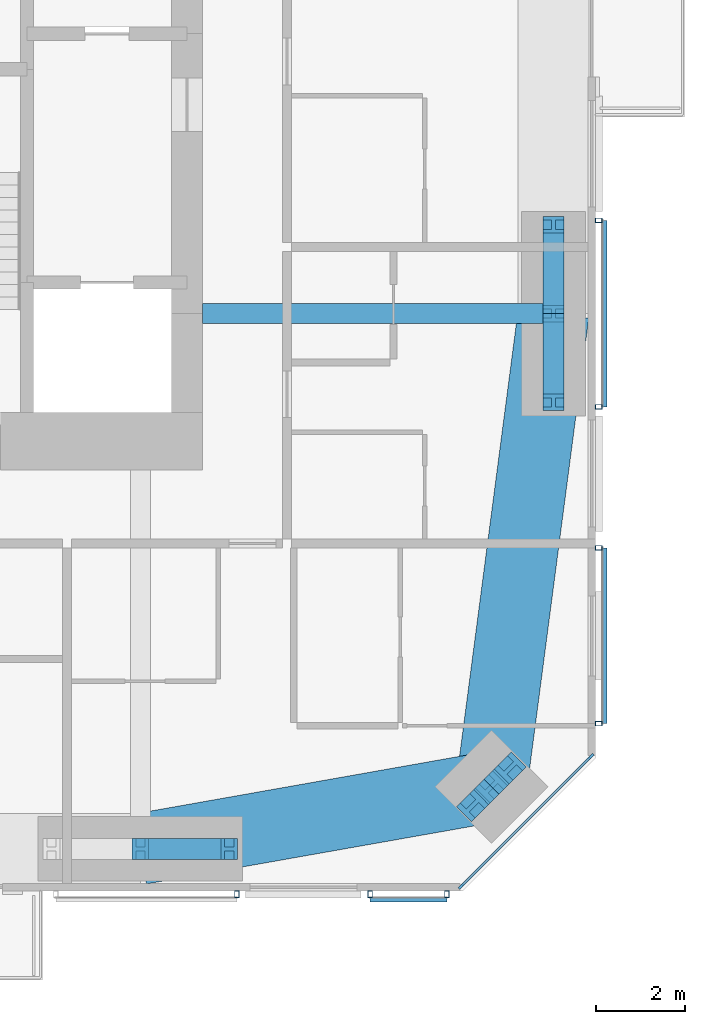
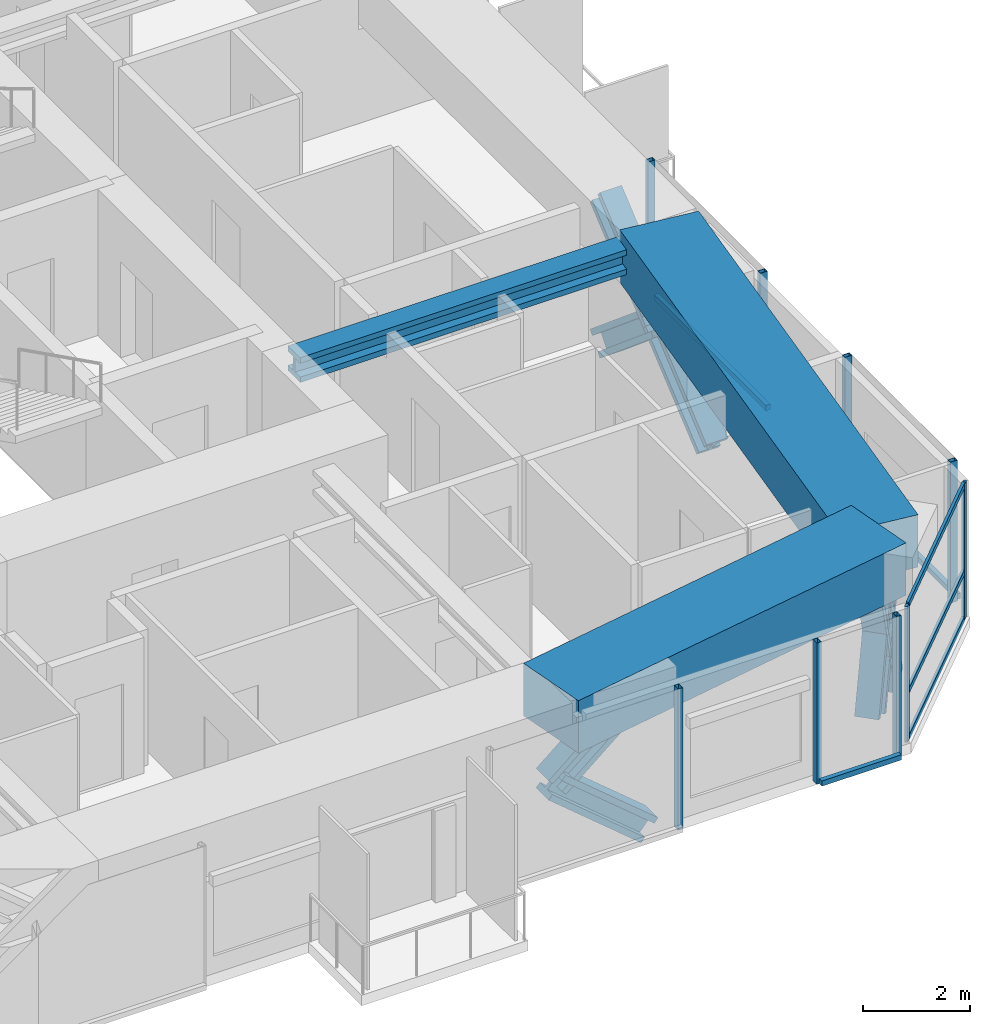
# One storey, part 7 of 22: 25 members, 3 beams, 5 elements without a shape of their own.
"""IFC4 building model written with IfcOpenShell, lengths in metres."""

from ifc_helpers import new_model, si_unit, direction, frame, origin, origin_2d, place, context, subcontext, project, spatial, rectangle, hollow_rectangle, i_section, extrude, material, material_profile, profile_set, type_object, element, aggregate, save


model = new_model("IFC4")

# Units and contexts
model_context = context("Model", 3, precision=1e-05, world=origin(), true_north=direction((0.0, 1.0)))
body_context = subcontext(model_context, "Body", "Model", "MODEL_VIEW")
ifc_project = project(units=[si_unit("LENGTHUNIT", "METRE"), si_unit("AREAUNIT", "SQUARE_METRE"), si_unit("VOLUMEUNIT", "CUBIC_METRE"), si_unit("PLANEANGLEUNIT", "RADIAN"), si_unit("MASSUNIT", "GRAM", prefix="KILO")], contexts=[model_context])

# Site, building, storey
site_placement = place(None, origin())
site = spatial("IfcSite", under=ifc_project, at=site_placement, CompositionType="ELEMENT")
building_placement = place(site_placement, origin())
building = spatial("IfcBuilding", under=site, at=building_placement, Name="Jalousie Tower", CompositionType="ELEMENT")
storey_placement = place(building_placement, frame((0.0, 0.0, 161.050048828125)))
storey = spatial("IfcBuildingStorey", under=building, at=storey_placement, Name="L43", CompositionType="ELEMENT", Elevation=161.050048828125)

# Curtain wall, members
ifc_material_1 = material(Name="Aluminium curtain wall", Category="aluminium")
curtain_wall_type_1 = type_object("IfcCurtainWallType", Name="CORNER WINDOW WALL", PredefinedType="USERDEFINED", material=ifc_material_1)
curtain_wall_1_placement = place(storey_placement, origin())
curtain_wall_1 = element("IfcCurtainWall", 1, at=curtain_wall_1_placement, inside=storey, type_object=curtain_wall_type_1, Name="Corner Window Wall L43 2", ObjectType="CORNER WINDOW WALL", PredefinedType="USERDEFINED")
ifc_material_2 = material(Name="Aluminium mullion", Category="aluminium")
ifc_material_profile_1 = material_profile(ifc_material_2, rectangle(XDim=0.06005859375, YDim=0.14990234375, at=origin_2d()), Name="MULLION 60x150")
ifc_profile_set_1 = profile_set([ifc_material_profile_1], Name="Aluminium mullion")
member_type_1 = type_object("IfcMemberType", Name="CORNER WINDOW WALL MULLION", PredefinedType="MULLION", material=ifc_profile_set_1)
member_1_placement = place(storey_placement, frame((49.969970703125, 0.108642578125, 0.0), z_axis=(0.0, 0.0, 1.0), x_axis=(-0.707106781187, 0.707106781187, 0.0)))
member_1 = element("IfcMember", 2, at=member_1_placement, type_object=member_type_1, Name="CW-C mullion 1", PredefinedType="MULLION", context=body_context, shape_type="SweptSolid", body=[
    extrude(rectangle(XDim=0.06005859375, YDim=0.14990234375, at=origin_2d()), origin(), (0.0, 0.0, 1.0), 3.10986328125),
])
member_2_placement = place(storey_placement, frame((52.891357421875, 3.030029296875, 0.0), z_axis=(0.0, 0.0, 1.0), x_axis=(-0.707106781187, 0.707106781187, 0.0)))
member_2 = element("IfcMember", 3, at=member_2_placement, type_object=member_type_1, Name="CW-C mullion 2", PredefinedType="MULLION", context=body_context, shape_type="SweptSolid", body=[
    extrude(rectangle(XDim=0.06005859375, YDim=0.14990234375, at=origin_2d()), origin(), (0.0, 0.0, 1.0), 3.10986328125),
])
ifc_material_3 = material(Name="Aluminium transom", Category="aluminium")
ifc_material_profile_2 = material_profile(ifc_material_3, rectangle(XDim=0.06005859375, YDim=0.1201171875, at=origin_2d()), Name="TRANSOM 60x120")
ifc_profile_set_2 = profile_set([ifc_material_profile_2], Name="Aluminium transom")
member_type_2 = type_object("IfcMemberType", Name="CORNER WINDOW WALL TRANSOM", PredefinedType="USERDEFINED", material=ifc_profile_set_2)
member_3_placement = place(storey_placement, frame((49.9912109375, 0.1298828125, 0.030029296875), z_axis=(0.707106781187, 0.707106781187, 0.0), x_axis=(-0.707106781187, 0.707106781187, 0.0)))
member_3 = element("IfcMember", 4, at=member_3_placement, type_object=member_type_2, Name="CW-C transom 1.1", ObjectType="TRANSOM", PredefinedType="USERDEFINED", context=body_context, shape_type="SweptSolid", body=[
    extrude(rectangle(XDim=0.06005859375, YDim=0.1201171875, at=origin_2d()), origin(), (0.0, 0.0, 1.0), 4.0712890625),
])
member_4_placement = place(storey_placement, frame((49.9912109375, 0.1298828125, 1.099853515625), z_axis=(0.707106781187, 0.707106781187, 0.0), x_axis=(-0.707106781187, 0.707106781187, 0.0)))
member_4 = element("IfcMember", 5, at=member_4_placement, type_object=member_type_2, Name="CW-C transom 1.2", ObjectType="TRANSOM", PredefinedType="USERDEFINED", context=body_context, shape_type="SweptSolid", body=[
    extrude(rectangle(XDim=0.06005859375, YDim=0.1201171875, at=origin_2d()), origin(), (0.0, 0.0, 1.0), 4.0712890625),
])
member_5_placement = place(storey_placement, frame((49.9912109375, 0.1298828125, 3.079833984375), z_axis=(0.707106781187, 0.707106781187, 0.0), x_axis=(-0.707106781187, 0.707106781187, 0.0)))
member_5 = element("IfcMember", 6, at=member_5_placement, type_object=member_type_2, Name="CW-C transom 1.3", ObjectType="TRANSOM", PredefinedType="USERDEFINED", context=body_context, shape_type="SweptSolid", body=[
    extrude(rectangle(XDim=0.06005859375, YDim=0.1201171875, at=origin_2d()), origin(), (0.0, 0.0, 1.0), 4.0712890625),
])
aggregate(curtain_wall_1, [member_1, member_2, member_3, member_4, member_5])

# Beam
ifc_material_4 = material(Name="Steel ASTM A992 Grade 50", Category="steel")
ifc_material_profile_3 = material_profile(ifc_material_4, i_section(OverallWidth=0.45458984375, OverallDepth=0.569091796875, WebThickness=0.077880859375, FlangeThickness=0.124755859375, at=origin_2d()), Name="W14X730")
ifc_profile_set_3 = profile_set([ifc_material_profile_3], Name="Steel ASTM A992 Grade 50")
beam_type_1 = type_object("IfcBeamType", Name="LEAN COLLECTOR W14X730", PredefinedType="BEAM", material=ifc_profile_set_3)
beam_1_placement = place(storey_placement, frame((52.050048828125, 13.0, 2.825439453125), z_axis=(-1.0, 0.0, 0.0), x_axis=(0.0, -1.0, 0.0)))
element("IfcBeam", 7, at=beam_1_placement, inside=storey, type_object=beam_type_1, Name="Lean collector under L44", PredefinedType="BEAM", context=body_context, shape_type="SweptSolid", body=[
    extrude(i_section(OverallWidth=0.45458984375, OverallDepth=0.569091796875, WebThickness=0.077880859375, FlangeThickness=0.124755859375, at=origin_2d()), origin(), (0.0, 0.0, 1.0), 7.900146484375),
])

# Members
ifc_material_5 = material(Name="Steel ASTM A992 Grade 50", Category="steel")
ifc_material_profile_4 = material_profile(ifc_material_5, i_section(OverallWidth=0.472412109375, OverallDepth=0.5791015625, WebThickness=0.094970703125, FlangeThickness=0.1298828125, at=origin_2d()), Name="W14X808")
ifc_profile_set_4 = profile_set([ifc_material_profile_4], Name="Steel ASTM A992 Grade 50")
member_type_3 = type_object("IfcMemberType", Name="PERIMETER BRACE W14X808", PredefinedType="BRACE", material=ifc_profile_set_4)
for number, where, z_axis, x_axis, name in (
    (8, (42.75, 0.949951171875, 1.074951171875), (0.766638753323, 0.0, 0.642078672674), (0.0, 1.0, 0.0), "Perimeter brace 04 L43 part 2"),
    (9, (44.75, 0.949951171875, -0.60009765625), (-0.766638753323, 0.0, 0.642078672674), (0.0, -1.0, 0.0), "Perimeter brace 04 L43 part 3"),
):
    element("IfcMember", number, at=place(storey_placement, frame(where, z_axis=z_axis, x_axis=x_axis)), inside=storey, type_object=member_type_3, Name=name, PredefinedType="BRACE", context=body_context, shape_type="SweptSolid", body=[
        extrude(i_section(OverallWidth=0.472412109375, OverallDepth=0.5791015625, WebThickness=0.094970703125, FlangeThickness=0.1298828125, at=origin_2d()), origin(), (0.0, 0.0, 1.0), 2.60888671875),
    ])
for number, where, z_axis, x_axis, name in (
    (10, (50.227294921875, 1.92431640625, -0.60009765625), (0.238482757655, 0.238345540878, 0.941444303953), (-0.706903267951, 0.707310235866, 0.0), "Perimeter brace 05 L43 part 1"),
    (11, (50.651611328125, 2.348388671875, 1.074951171875), (0.238345540878, 0.238482757655, 0.941444303953), (-0.707310235866, 0.706903267951, 0.0), "Perimeter brace 05 L43 part 2"),
    (12, (51.07568359375, 2.772705078125, -0.60009765625), (-0.238345540878, -0.238482757655, 0.941444303953), (0.707310235866, -0.706903267951, 0.0), "Perimeter brace 05 L43 part 3"),
    (13, (50.651611328125, 2.348388671875, 1.074951171875), (-0.238482757655, -0.238345540878, 0.941444303953), (0.706903267951, -0.707310235866, 0.0), "Perimeter brace 05 L43 part 4"),
):
    element("IfcMember", number, at=place(storey_placement, frame(where, z_axis=z_axis, x_axis=x_axis)), inside=storey, type_object=member_type_3, Name=name, PredefinedType="BRACE", context=body_context, shape_type="SweptSolid", body=[
        extrude(i_section(OverallWidth=0.472412109375, OverallDepth=0.5791015625, WebThickness=0.094970703125, FlangeThickness=0.1298828125, at=origin_2d()), origin(), (0.0, 0.0, 1.0), 1.779296875),
    ])
for number, where, z_axis, x_axis, name in (
    (14, (52.050048828125, 11.0, -0.60009765625), (0.0, 0.766638753323, 0.642078672674), (-1.0, 0.0, 0.0), "Perimeter brace 06 L43 part 1"),
    (15, (52.050048828125, 13.0, 1.074951171875), (0.0, 0.766638753323, 0.642078672674), (-1.0, 0.0, 0.0), "Perimeter brace 06 L43 part 2"),
    (16, (52.050048828125, 15.0, -0.60009765625), (0.0, -0.766638753323, 0.642078672674), (1.0, 0.0, 0.0), "Perimeter brace 06 L43 part 3"),
    (17, (52.050048828125, 13.0, 1.074951171875), (0.0, -0.766638753323, 0.642078672674), (1.0, 0.0, 0.0), "Perimeter brace 06 L43 part 4"),
):
    element("IfcMember", number, at=place(storey_placement, frame(where, z_axis=z_axis, x_axis=x_axis)), inside=storey, type_object=member_type_3, Name=name, PredefinedType="BRACE", context=body_context, shape_type="SweptSolid", body=[
        extrude(i_section(OverallWidth=0.472412109375, OverallDepth=0.5791015625, WebThickness=0.094970703125, FlangeThickness=0.1298828125, at=origin_2d()), origin(), (0.0, 0.0, 1.0), 2.60888671875),
    ])

# Beams
ifc_material_6 = material(Name="Concrete f'c 40 MPa", Category="concrete")
ifc_material_profile_5 = material_profile(ifc_material_6, rectangle(XDim=1.60009765625, YDim=1.199951171875, at=origin_2d()), Name="RC 1600x1200")
ifc_profile_set_5 = profile_set([ifc_material_profile_5], Name="Concrete f'c 40 MPa")
beam_type_2 = type_object("IfcBeamType", Name="RC BEAM 1600x1200", PredefinedType="BEAM", material=ifc_profile_set_5)
beam_2_placement = place(storey_placement, frame((42.75, 0.949951171875, 2.75), z_axis=(0.984697370688, 0.174273027632, 0.0), x_axis=(-0.174273027632, 0.984697370688, 0.0)))
element("IfcBeam", 18, at=beam_2_placement, inside=storey, type_object=beam_type_2, Name="Edge band beam 04-05 under L44", PredefinedType="BEAM", context=body_context, shape_type="SweptSolid", body=[
    extrude(rectangle(XDim=1.60009765625, YDim=1.199951171875, at=origin_2d()), origin(), (0.0, 0.0, 1.0), 8.0244140625),
])
beam_3_placement = place(storey_placement, frame((50.651611328125, 2.348388671875, 2.75), z_axis=(0.130171745558, 0.991491460709, 0.0), x_axis=(-0.991491460709, 0.130171745558, 0.0)))
element("IfcBeam", 19, at=beam_3_placement, inside=storey, type_object=beam_type_2, Name="Edge band beam 05-06 under L44", PredefinedType="BEAM", context=body_context, shape_type="SweptSolid", body=[
    extrude(rectangle(XDim=1.60009765625, YDim=1.199951171875, at=origin_2d()), origin(), (0.0, 0.0, 1.0), 10.742919921875),
])

# Curtain wall, member
ifc_material_7 = material(Name="Perforated aluminium sheet", Category="aluminium")
curtain_wall_type_2 = type_object("IfcCurtainWallType", Name="SOLAR SCREEN SS-1", PredefinedType="USERDEFINED", material=ifc_material_7)
curtain_wall_2_placement = place(storey_placement, origin())
curtain_wall_2 = element("IfcCurtainWall", 20, at=curtain_wall_2_placement, inside=storey, type_object=curtain_wall_type_2, Name="Solar screen L43", ObjectType="SOLAR SCREEN SS-1", PredefinedType="USERDEFINED")
ifc_material_8 = material(Name="Steel ASTM A500 Grade C", Category="steel")
ifc_material_profile_6 = material_profile(ifc_material_8, hollow_rectangle(XDim=0.1015625, YDim=0.15234375, WallThickness=0.00634765625, at=origin_2d()), Name="HSS6X4X1/4")
ifc_profile_set_6 = profile_set([ifc_material_profile_6], Name="Steel ASTM A500 Grade C")
member_type_4 = type_object("IfcMemberType", Name="SOLAR SCREEN SS-1 MULLION", PredefinedType="MULLION", material=ifc_profile_set_6)
member_6_placement = place(storey_placement, frame((44.921630859375, -0.0712890625, -0.1201171875), z_axis=(0.0, 0.0, 1.0), x_axis=(1.0, 0.0, 0.0)))
member_6 = element("IfcMember", 21, at=member_6_placement, type_object=member_type_4, Name="SS1 post 2", PredefinedType="MULLION", context=body_context, shape_type="SweptSolid", body=[
    extrude(hollow_rectangle(XDim=0.1015625, YDim=0.15234375, WallThickness=0.00634765625, at=origin_2d()), origin(), (0.0, 0.0, 1.0), 3.22998046875),
])
aggregate(curtain_wall_2, [member_6])

# Curtain wall, members
curtain_wall_3_placement = place(storey_placement, origin())
curtain_wall_3 = element("IfcCurtainWall", 22, at=curtain_wall_3_placement, inside=storey, type_object=curtain_wall_type_2, Name="Solar screen L43", ObjectType="SOLAR SCREEN SS-1", PredefinedType="USERDEFINED")
member_7_placement = place(storey_placement, frame((47.921630859375, -0.0712890625, -0.1201171875), z_axis=(0.0, 0.0, 1.0), x_axis=(1.0, 0.0, 0.0)))
member_7 = element("IfcMember", 23, at=member_7_placement, type_object=member_type_4, Name="SS1 post 1", PredefinedType="MULLION", context=body_context, shape_type="SweptSolid", body=[
    extrude(hollow_rectangle(XDim=0.1015625, YDim=0.15234375, WallThickness=0.00634765625, at=origin_2d()), origin(), (0.0, 0.0, 1.0), 3.22998046875),
])
member_8_placement = place(storey_placement, frame((49.648681640625, -0.0712890625, -0.1201171875), z_axis=(0.0, 0.0, 1.0), x_axis=(1.0, 0.0, 0.0)))
member_8 = element("IfcMember", 24, at=member_8_placement, type_object=member_type_4, Name="SS1 post 2", PredefinedType="MULLION", context=body_context, shape_type="SweptSolid", body=[
    extrude(hollow_rectangle(XDim=0.1015625, YDim=0.15234375, WallThickness=0.00634765625, at=origin_2d()), origin(), (0.0, 0.0, 1.0), 3.22998046875),
])

curtain_wall_4_placement = place(storey_placement, origin())
curtain_wall_4 = element("IfcCurtainWall", 25, at=curtain_wall_4_placement, inside=storey, type_object=curtain_wall_type_2, Name="Solar screen L43", ObjectType="SOLAR SCREEN SS-1", PredefinedType="USERDEFINED")
member_9_placement = place(storey_placement, frame((53.0712890625, 3.771240234375, -0.1201171875), z_axis=(0.0, 0.0, 1.0), x_axis=(0.0, 1.0, 0.0)))
member_9 = element("IfcMember", 26, at=member_9_placement, type_object=member_type_4, Name="SS1 post 1", PredefinedType="MULLION", context=body_context, shape_type="SweptSolid", body=[
    extrude(hollow_rectangle(XDim=0.1015625, YDim=0.15234375, WallThickness=0.00634765625, at=origin_2d()), origin(), (0.0, 0.0, 1.0), 3.22998046875),
])
member_10_placement = place(storey_placement, frame((53.0712890625, 7.72509765625, -0.1201171875), z_axis=(0.0, 0.0, 1.0), x_axis=(0.0, 1.0, 0.0)))
member_10 = element("IfcMember", 27, at=member_10_placement, type_object=member_type_4, Name="SS1 post 2", PredefinedType="MULLION", context=body_context, shape_type="SweptSolid", body=[
    extrude(hollow_rectangle(XDim=0.1015625, YDim=0.15234375, WallThickness=0.00634765625, at=origin_2d()), origin(), (0.0, 0.0, 1.0), 3.22998046875),
])

curtain_wall_5_placement = place(storey_placement, origin())
curtain_wall_5 = element("IfcCurtainWall", 28, at=curtain_wall_5_placement, inside=storey, type_object=curtain_wall_type_2, Name="Solar screen L43", ObjectType="SOLAR SCREEN SS-1", PredefinedType="USERDEFINED")
member_11_placement = place(storey_placement, frame((53.0712890625, 10.89990234375, -0.1201171875), z_axis=(0.0, 0.0, 1.0), x_axis=(0.0, 1.0, 0.0)))
member_11 = element("IfcMember", 29, at=member_11_placement, type_object=member_type_4, Name="SS1 post 1", PredefinedType="MULLION", context=body_context, shape_type="SweptSolid", body=[
    extrude(hollow_rectangle(XDim=0.1015625, YDim=0.15234375, WallThickness=0.00634765625, at=origin_2d()), origin(), (0.0, 0.0, 1.0), 3.22998046875),
])
member_12_placement = place(storey_placement, frame((53.0712890625, 15.10009765625, -0.1201171875), z_axis=(0.0, 0.0, 1.0), x_axis=(0.0, 1.0, 0.0)))
member_12 = element("IfcMember", 30, at=member_12_placement, type_object=member_type_4, Name="SS1 post 2", PredefinedType="MULLION", context=body_context, shape_type="SweptSolid", body=[
    extrude(hollow_rectangle(XDim=0.1015625, YDim=0.15234375, WallThickness=0.00634765625, at=origin_2d()), origin(), (0.0, 0.0, 1.0), 3.22998046875),
])

# Member
ifc_material_9 = material(Name="Extruded aluminium screen rail", Category="aluminium")
ifc_material_profile_7 = material_profile(ifc_material_9, rectangle(XDim=0.1015625, YDim=0.1201171875, at=origin_2d()), Name="RAIL 102x120")
ifc_profile_set_7 = profile_set([ifc_material_profile_7], Name="Extruded aluminium screen rail")
member_type_5 = type_object("IfcMemberType", Name="SOLAR SCREEN SS-1 TRANSOM", PredefinedType="USERDEFINED", material=ifc_profile_set_7)
member_13_placement = place(storey_placement, frame((47.921630859375, -0.1982421875, -0.06005859375), z_axis=(1.0, 0.0, 0.0), x_axis=(0.0, 1.0, 0.0)))
member_13 = element("IfcMember", 31, at=member_13_placement, type_object=member_type_5, Name="SS1 rail", ObjectType="TRANSOM", PredefinedType="USERDEFINED", context=body_context, shape_type="SweptSolid", body=[
    extrude(rectangle(XDim=0.1015625, YDim=0.1201171875, at=origin_2d()), origin(), (0.0, 0.0, 1.0), 1.72705078125),
])

aggregate(curtain_wall_3, [member_7, member_8, member_13])

member_14_placement = place(storey_placement, frame((53.1982421875, 3.771240234375, -0.06005859375), z_axis=(0.0, 1.0, 0.0), x_axis=(-1.0, 0.0, 0.0)))
member_14 = element("IfcMember", 32, at=member_14_placement, type_object=member_type_5, Name="SS1 rail", ObjectType="TRANSOM", PredefinedType="USERDEFINED", context=body_context, shape_type="SweptSolid", body=[
    extrude(rectangle(XDim=0.1015625, YDim=0.1201171875, at=origin_2d()), origin(), (0.0, 0.0, 1.0), 3.953857421875),
])

aggregate(curtain_wall_4, [member_9, member_10, member_14])

member_15_placement = place(storey_placement, frame((53.1982421875, 10.89990234375, -0.06005859375), z_axis=(0.0, 1.0, 0.0), x_axis=(-1.0, 0.0, 0.0)))
member_15 = element("IfcMember", 33, at=member_15_placement, type_object=member_type_5, Name="SS1 rail", ObjectType="TRANSOM", PredefinedType="USERDEFINED", context=body_context, shape_type="SweptSolid", body=[
    extrude(rectangle(XDim=0.1015625, YDim=0.1201171875, at=origin_2d()), origin(), (0.0, 0.0, 1.0), 4.2001953125),
])

aggregate(curtain_wall_5, [member_11, member_12, member_15])

save(model, "model.ifc")
